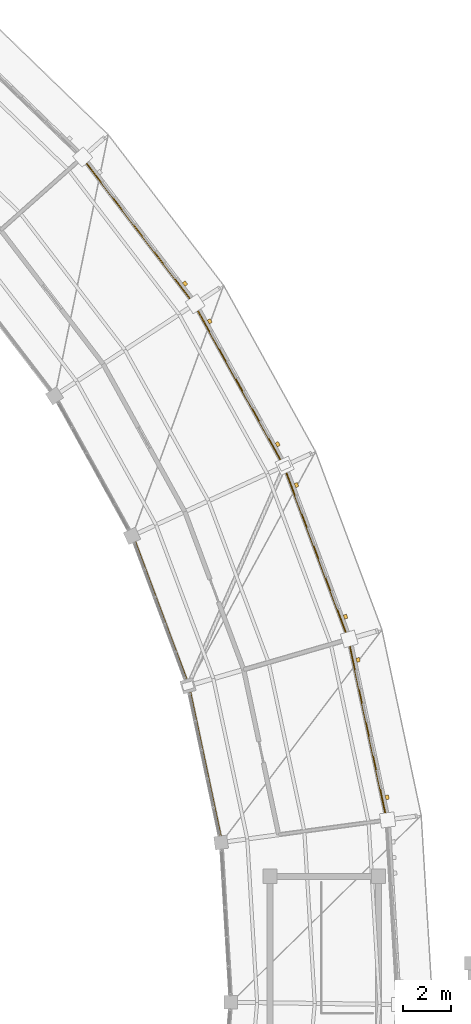
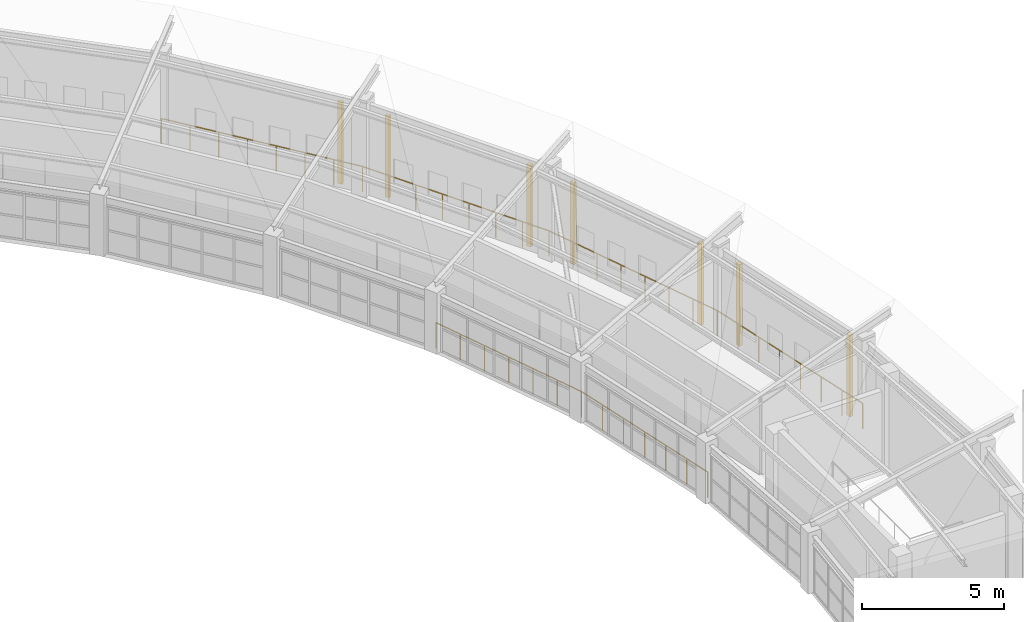
# One storey, part 149 of 149: 7 coverings, 6 railings.
"""IFC4 building model written with IfcOpenShell, lengths in metres."""

from ifc_helpers import new_model, si_unit, direction, frame, origin, origin_2d, place, context, subcontext, project, spatial, rectangle, circle, extrude, material, layer, layer_set, type_object, element, save


model = new_model("IFC4")

# Units and contexts
model_context = context("Model", 3, precision=1e-05, world=origin(), true_north=direction((0.0, 1.0)))
body_context = subcontext(model_context, "Body", "Model", "MODEL_VIEW")
ifc_project = project(units=[si_unit("LENGTHUNIT", "METRE"), si_unit("AREAUNIT", "SQUARE_METRE"), si_unit("VOLUMEUNIT", "CUBIC_METRE"), si_unit("PLANEANGLEUNIT", "RADIAN"), si_unit("MASSUNIT", "GRAM", prefix="KILO")], contexts=[model_context])

# Site, building, storey
site_placement = place(None, origin())
site = spatial("IfcSite", under=ifc_project, at=site_placement, CompositionType="ELEMENT")
building_placement = place(site_placement, origin())
building = spatial("IfcBuilding", under=site, at=building_placement, Name="Celadon Cloister-Ring School", CompositionType="ELEMENT")
storey_placement = place(building_placement, frame((0.0, 0.0, 12.5)))
storey = spatial("IfcBuildingStorey", under=building, at=storey_placement, Name="L03", CompositionType="ELEMENT", Elevation=12.5)

# Coverings
ifc_material_1 = material(Name="Perforated terracotta clay brick masonry", Category="masonry")
ifc_layer = layer(ifc_material_1, 0.139892578125)
ifc_layer_set = layer_set([ifc_layer], Name="Perforated terracotta clay brick masonry")
covering_type = type_object("IfcCoveringType", Name="CV-SC1", PredefinedType="CLADDING", material=ifc_layer_set)
for number, where, z_axis, x_axis, name in (
    (1, (137.300048828125, 72.637939453125, -0.00048828125), (0.0, 0.0, 1.0), (0.207262913083, -0.978285277851, 0.0), "Brick Screen Rib 0408"),
    (2, (138.511962890625, 66.9150390625, -0.00048828125), (0.0, 0.0, 1.0), (0.207262913083, -0.978285277851, 0.0), "Brick Screen Rib 0409"),
    (3, (134.73388671875, 79.919921875, -0.00048828125), (0.0, 0.0, 1.0), (0.349209954135, -0.937044506912, 0.0), "Brick Screen Rib 0410"),
    (4, (136.777099609375, 74.43798828125, -0.00048828125), (0.0, 0.0, 1.0), (0.349209954135, -0.937044506912, 0.0), "Brick Screen Rib 0411"),
    (5, (131.1201171875, 86.741943359375, -0.00048828125), (0.0, 0.0, 1.0), (0.483832358408, -0.875160698933, 0.0), "Brick Screen Rib 0412"),
    (6, (133.949951171875, 81.6220703125, -0.00048828125), (0.0, 0.0, 1.0), (0.483832358408, -0.875160698933, 0.0), "Brick Screen Rib 0413"),
    (7, (130.093017578125, 88.31103515625, -0.00048828125), (0.0, 0.0, 1.0), (0.6079857272, -0.793947955172, 0.0), "Brick Screen Rib 0415"),
):
    element("IfcCovering", number, at=place(storey_placement, frame(where, z_axis=z_axis, x_axis=x_axis)), inside=storey, type_object=covering_type, Name=name, PredefinedType="CLADDING", context=body_context, shape_type="SweptSolid", body=[
        extrude(rectangle(XDim=0.179931640625, YDim=0.139892578125, at=origin_2d()), origin(), (0.0, 0.0, 1.0), 3.51708984375),
    ])

# Railings
ifc_material_2 = material(Name="Structural steel S355JR", Category="steel")
railing_type = type_object("IfcRailingType", Name="RL-BL1", PredefinedType="BALUSTRADE", material=ifc_material_2)
railing_1_placement = place(storey_placement, frame((138.490966796875, 65.966064453125, 0.0)))
element("IfcRailing", 8, at=railing_1_placement, inside=storey, type_object=railing_type, Name="Terrace Balustrade 0174", PredefinedType="BALUSTRADE", context=body_context, shape_type="SweptSolid", body=[
    extrude(circle(Radius=0.02392578125, at=origin_2d()), frame((0.0, 0.0, 1.09619140625), z_axis=(-0.207095796357, 0.978320668866, 0.0), x_axis=(-0.978320668866, -0.207095796357, 0.0)), (0.0, 0.0, 1.0), 7.69677734375),
    extrude(circle(Radius=0.02099609375, at=origin_2d()), origin(), (0.0, 0.0, 1.0), 1.072021484375),
    extrude(circle(Radius=0.02099609375, at=origin_2d()), frame((-0.227783203125, 1.07568359375, 0.0)), (0.0, 0.0, 1.0), 1.072021484375),
    extrude(circle(Radius=0.02099609375, at=origin_2d()), frame((-0.455322265625, 2.1513671875, 0.0)), (0.0, 0.0, 1.0), 1.072021484375),
    extrude(circle(Radius=0.02099609375, at=origin_2d()), frame((-0.68310546875, 3.22705078125, 0.0)), (0.0, 0.0, 1.0), 1.072021484375),
    extrude(circle(Radius=0.02099609375, at=origin_2d()), frame((-0.910888671875, 4.302978515625, 0.0)), (0.0, 0.0, 1.0), 1.072021484375),
    extrude(circle(Radius=0.02099609375, at=origin_2d()), frame((-1.138671875, 5.378662109375, 0.0)), (0.0, 0.0, 1.0), 1.072021484375),
    extrude(circle(Radius=0.02099609375, at=origin_2d()), frame((-1.3662109375, 6.454345703125, 0.0)), (0.0, 0.0, 1.0), 1.072021484375),
    extrude(circle(Radius=0.02099609375, at=origin_2d()), frame((-1.593994140625, 7.530029296875, 0.0)), (0.0, 0.0, 1.0), 1.072021484375),
])
railing_2_placement = place(storey_placement, frame((136.89697265625, 73.49609375, 0.0)))
element("IfcRailing", 9, at=railing_2_placement, inside=storey, type_object=railing_type, Name="Terrace Balustrade 0175", PredefinedType="BALUSTRADE", context=body_context, shape_type="SweptSolid", body=[
    extrude(circle(Radius=0.02392578125, at=origin_2d()), frame((0.0, 0.0, 1.09619140625), z_axis=(-0.349315433681, 0.93700519091, 0.0), x_axis=(-0.93700519091, -0.349315433681, 0.0)), (0.0, 0.0, 1.0), 7.69775390625),
    extrude(circle(Radius=0.02099609375, at=origin_2d()), origin(), (0.0, 0.0, 1.0), 1.072021484375),
    extrude(circle(Radius=0.02099609375, at=origin_2d()), frame((-0.384033203125, 1.030517578125, 0.0)), (0.0, 0.0, 1.0), 1.072021484375),
    extrude(circle(Radius=0.02099609375, at=origin_2d()), frame((-0.768310546875, 2.060791015625, 0.0)), (0.0, 0.0, 1.0), 1.072021484375),
    extrude(circle(Radius=0.02099609375, at=origin_2d()), frame((-1.15234375, 3.09130859375, 0.0)), (0.0, 0.0, 1.0), 1.072021484375),
    extrude(circle(Radius=0.02099609375, at=origin_2d()), frame((-1.53662109375, 4.12158203125, 0.0)), (0.0, 0.0, 1.0), 1.072021484375),
    extrude(circle(Radius=0.02099609375, at=origin_2d()), frame((-1.920654296875, 5.152099609375, 0.0)), (0.0, 0.0, 1.0), 1.072021484375),
    extrude(circle(Radius=0.02099609375, at=origin_2d()), frame((-2.304931640625, 6.182373046875, 0.0)), (0.0, 0.0, 1.0), 1.072021484375),
    extrude(circle(Radius=0.02099609375, at=origin_2d()), frame((-2.68896484375, 7.212890625, 0.0)), (0.0, 0.0, 1.0), 1.072021484375),
])
railing_3_placement = place(storey_placement, frame((134.2080078125, 80.708984375, 0.0)))
element("IfcRailing", 10, at=railing_3_placement, inside=storey, type_object=railing_type, Name="Terrace Balustrade 0176", PredefinedType="BALUSTRADE", context=body_context, shape_type="SweptSolid", body=[
    extrude(circle(Radius=0.02392578125, at=origin_2d()), frame((0.0, 0.0, 1.09619140625), z_axis=(-0.484034517871, 0.875048904638, 0.0), x_axis=(-0.875048904638, -0.484034517871, 0.0)), (0.0, 0.0, 1.0), 7.697998046875),
    extrude(circle(Radius=0.02099609375, at=origin_2d()), origin(), (0.0, 0.0, 1.0), 1.072021484375),
    extrude(circle(Radius=0.02099609375, at=origin_2d()), frame((-0.5322265625, 0.96240234375, 0.0)), (0.0, 0.0, 1.0), 1.072021484375),
    extrude(circle(Radius=0.02099609375, at=origin_2d()), frame((-1.064697265625, 1.924560546875, 0.0)), (0.0, 0.0, 1.0), 1.072021484375),
    extrude(circle(Radius=0.02099609375, at=origin_2d()), frame((-1.596923828125, 2.886962890625, 0.0)), (0.0, 0.0, 1.0), 1.072021484375),
    extrude(circle(Radius=0.02099609375, at=origin_2d()), frame((-2.129150390625, 3.84912109375, 0.0)), (0.0, 0.0, 1.0), 1.072021484375),
    extrude(circle(Radius=0.02099609375, at=origin_2d()), frame((-2.661376953125, 4.8115234375, 0.0)), (0.0, 0.0, 1.0), 1.072021484375),
    extrude(circle(Radius=0.02099609375, at=origin_2d()), frame((-3.19384765625, 5.773681640625, 0.0)), (0.0, 0.0, 1.0), 1.072021484375),
    extrude(circle(Radius=0.02099609375, at=origin_2d()), frame((-3.72607421875, 6.736083984375, 0.0)), (0.0, 0.0, 1.0), 1.072021484375),
])
railing_4_placement = place(storey_placement, frame((130.48193359375, 87.445068359375, 0.0)))
element("IfcRailing", 11, at=railing_4_placement, inside=storey, type_object=railing_type, Name="Terrace Balustrade 0177", PredefinedType="BALUSTRADE", context=body_context, shape_type="SweptSolid", body=[
    extrude(circle(Radius=0.02392578125, at=origin_2d()), frame((0.0, 0.0, 1.09619140625), z_axis=(-0.607877382965, 0.794030910783, 0.0), x_axis=(-0.794030910783, -0.607877382965, 0.0)), (0.0, 0.0, 1.0), 7.697265625),
    extrude(circle(Radius=0.02099609375, at=origin_2d()), origin(), (0.0, 0.0, 1.0), 1.072021484375),
    extrude(circle(Radius=0.02099609375, at=origin_2d()), frame((-0.66845703125, 0.873046875, 0.0)), (0.0, 0.0, 1.0), 1.072021484375),
    extrude(circle(Radius=0.02099609375, at=origin_2d()), frame((-1.3369140625, 1.746337890625, 0.0)), (0.0, 0.0, 1.0), 1.072021484375),
    extrude(circle(Radius=0.02099609375, at=origin_2d()), frame((-2.00537109375, 2.619384765625, 0.0)), (0.0, 0.0, 1.0), 1.072021484375),
    extrude(circle(Radius=0.02099609375, at=origin_2d()), frame((-2.673583984375, 3.492431640625, 0.0)), (0.0, 0.0, 1.0), 1.072021484375),
    extrude(circle(Radius=0.02099609375, at=origin_2d()), frame((-3.342041015625, 4.365478515625, 0.0)), (0.0, 0.0, 1.0), 1.072021484375),
    extrude(circle(Radius=0.02099609375, at=origin_2d()), frame((-4.010498046875, 5.23876953125, 0.0)), (0.0, 0.0, 1.0), 1.072021484375),
    extrude(circle(Radius=0.02099609375, at=origin_2d()), frame((-4.678955078125, 6.11181640625, 0.0)), (0.0, 0.0, 1.0), 1.072021484375),
])
railing_5_placement = place(storey_placement, frame((131.633056640625, 65.0380859375, 0.0)))
element("IfcRailing", 12, at=railing_5_placement, inside=storey, type_object=railing_type, Name="Terrace Balustrade 0209", PredefinedType="BALUSTRADE", context=body_context, shape_type="SweptSolid", body=[
    extrude(circle(Radius=0.02392578125, at=origin_2d()), frame((0.0, 0.0, 1.09619140625), z_axis=(-0.206989572624, 0.978343148811, 0.0), x_axis=(-0.978343148811, -0.206989572624, 0.0)), (0.0, 0.0, 1.0), 6.67236328125),
    extrude(circle(Radius=0.02099609375, at=origin_2d()), origin(), (0.0, 0.0, 1.0), 1.072021484375),
    extrude(circle(Radius=0.02099609375, at=origin_2d()), frame((-0.230224609375, 1.087890625, 0.0)), (0.0, 0.0, 1.0), 1.072021484375),
    extrude(circle(Radius=0.02099609375, at=origin_2d()), frame((-0.46044921875, 2.176025390625, 0.0)), (0.0, 0.0, 1.0), 1.072021484375),
    extrude(circle(Radius=0.02099609375, at=origin_2d()), frame((-0.6904296875, 3.263916015625, 0.0)), (0.0, 0.0, 1.0), 1.072021484375),
    extrude(circle(Radius=0.02099609375, at=origin_2d()), frame((-0.920654296875, 4.351806640625, 0.0)), (0.0, 0.0, 1.0), 1.072021484375),
    extrude(circle(Radius=0.02099609375, at=origin_2d()), frame((-1.15087890625, 5.43994140625, 0.0)), (0.0, 0.0, 1.0), 1.072021484375),
    extrude(circle(Radius=0.02099609375, at=origin_2d()), frame((-1.381103515625, 6.52783203125, 0.0)), (0.0, 0.0, 1.0), 1.072021484375),
])
railing_6_placement = place(storey_placement, frame((130.251953125, 71.56591796875, 0.0)))
element("IfcRailing", 13, at=railing_6_placement, inside=storey, type_object=railing_type, Name="Terrace Balustrade 0210", PredefinedType="BALUSTRADE", context=body_context, shape_type="SweptSolid", body=[
    extrude(circle(Radius=0.02392578125, at=origin_2d()), frame((0.0, 0.0, 1.09619140625), z_axis=(-0.349346515714, 0.936993602944, 0.0), x_axis=(-0.936993602944, -0.349346515714, 0.0)), (0.0, 0.0, 1.0), 6.672607421875),
    extrude(circle(Radius=0.02099609375, at=origin_2d()), origin(), (0.0, 0.0, 1.0), 1.072021484375),
    extrude(circle(Radius=0.02099609375, at=origin_2d()), frame((-0.388427734375, 1.0419921875, 0.0)), (0.0, 0.0, 1.0), 1.072021484375),
    extrude(circle(Radius=0.02099609375, at=origin_2d()), frame((-0.777099609375, 2.083984375, 0.0)), (0.0, 0.0, 1.0), 1.072021484375),
    extrude(circle(Radius=0.02099609375, at=origin_2d()), frame((-1.16552734375, 3.1259765625, 0.0)), (0.0, 0.0, 1.0), 1.072021484375),
    extrude(circle(Radius=0.02099609375, at=origin_2d()), frame((-1.553955078125, 4.168212890625, 0.0)), (0.0, 0.0, 1.0), 1.072021484375),
    extrude(circle(Radius=0.02099609375, at=origin_2d()), frame((-1.942626953125, 5.210205078125, 0.0)), (0.0, 0.0, 1.0), 1.072021484375),
    extrude(circle(Radius=0.02099609375, at=origin_2d()), frame((-2.3310546875, 6.252197265625, 0.0)), (0.0, 0.0, 1.0), 1.072021484375),
])

save(model, "model.ifc")
